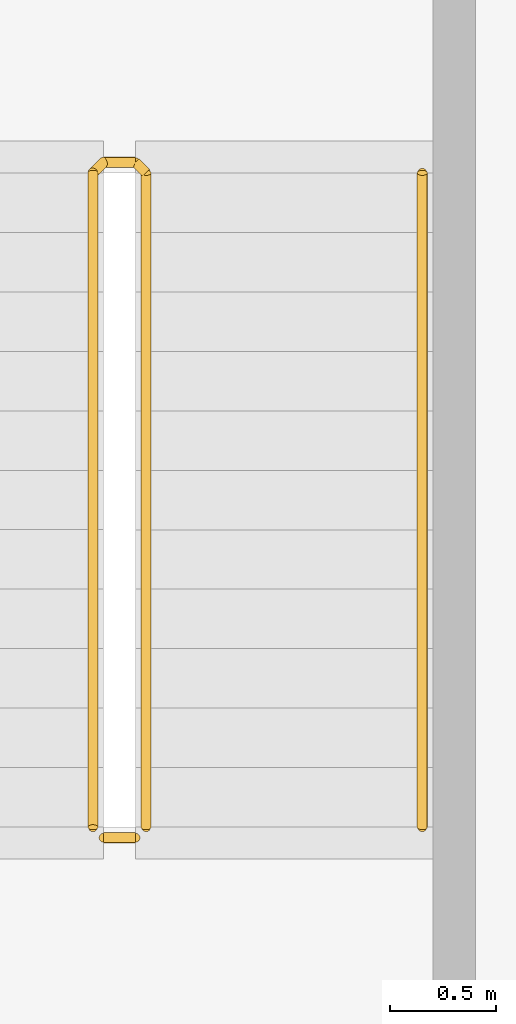
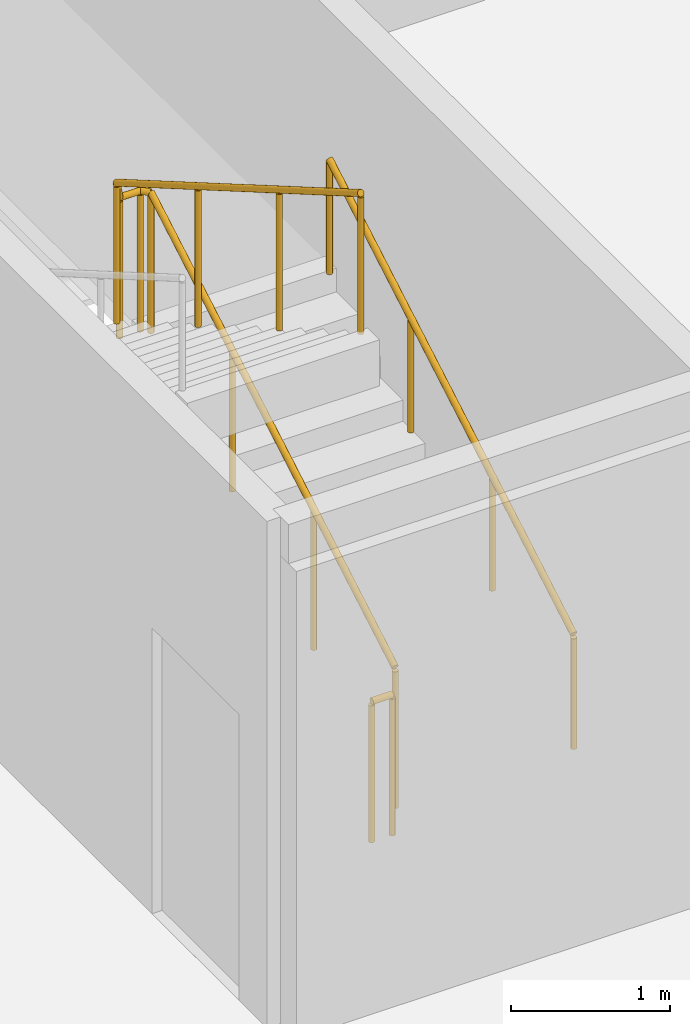
# One storey, part 27 of 28: 3 railings.
"""IFC4 building model written with IfcOpenShell, lengths in metres."""

from ifc_helpers import new_model, si_unit, direction, frame, origin, origin_2d, place, context, subcontext, project, spatial, circle, extrude, material, type_object, element, save


model = new_model("IFC4")

# Units and contexts
model_context = context("Model", 3, precision=1e-05, world=origin(), true_north=direction((0.0, 1.0)))
body_context = subcontext(model_context, "Body", "Model", "MODEL_VIEW")
ifc_project = project(units=[si_unit("LENGTHUNIT", "METRE"), si_unit("AREAUNIT", "SQUARE_METRE"), si_unit("VOLUMEUNIT", "CUBIC_METRE"), si_unit("PLANEANGLEUNIT", "RADIAN"), si_unit("MASSUNIT", "GRAM", prefix="KILO")], contexts=[model_context])

# Site, building, storey
site_placement = place(None, origin())
site = spatial("IfcSite", under=ifc_project, at=site_placement, CompositionType="ELEMENT")
building_placement = place(site_placement, origin())
building = spatial("IfcBuilding", under=site, at=building_placement, Name="Kheshtan School and Residences Tower", CompositionType="ELEMENT")
storey_placement = place(building_placement, frame((0.0, 0.0, 191.60009765625)))
storey = spatial("IfcBuildingStorey", under=building, at=storey_placement, Name="L45", CompositionType="ELEMENT", Elevation=191.60009765625)

# Railings
ifc_material_1 = material(Name="Stainless steel balustrade", Category="steel")
railing_type_1 = type_object("IfcRailingType", Name="Stair guard 1100", PredefinedType="GUARDRAIL", material=ifc_material_1)
railing_1_placement = place(storey_placement, frame((35.0, 80.89990234375, 0.162353515625)))
element("IfcRailing", 1, at=railing_1_placement, inside=storey, type_object=railing_type_1, Name="L45 ST3 stair guard 1", PredefinedType="GUARDRAIL", context=body_context, shape_type="SweptSolid", body=[
    extrude(circle(Radius=0.02392578125, at=origin_2d()), frame((0.0, 0.0, 1.076171875), z_axis=(0.0, 0.864890721111, 0.501960198159), x_axis=(-1.0, 0.0, 0.0)), (0.0, 0.0, 1.0), 3.561279296875),
    extrude(circle(Radius=0.02392578125, at=origin_2d()), frame((0.0, 3.080078125, 2.86376953125), z_axis=(-0.707106781187, 0.707106781187, 0.0), x_axis=(-0.707106781187, -0.707106781187, 0.0)), (0.0, 0.0, 1.0), 0.07080078125),
    extrude(circle(Radius=0.02392578125, at=origin_2d()), frame((-0.050048828125, 3.130126953125, 2.86376953125), z_axis=(-1.0, 0.0, 0.0), x_axis=(0.0, -1.0, 0.0)), (0.0, 0.0, 1.0), 0.14990234375),
    extrude(circle(Radius=0.02392578125, at=origin_2d()), frame((-0.199951171875, 3.130126953125, 2.86376953125), z_axis=(-0.282583949758, -0.282583949758, 0.916674763849), x_axis=(0.707106781187, -0.707106781187, 0.0)), (0.0, 0.0, 1.0), 0.177001953125),
    extrude(circle(Radius=0.02392578125, at=origin_2d()), frame((-0.25, 3.080078125, 3.02587890625), z_axis=(0.0, -0.864890721111, 0.501960198159), x_axis=(1.0, 0.0, 0.0)), (0.0, 0.0, 1.0), 3.561279296875),
    extrude(circle(Radius=0.02099609375, at=origin_2d()), origin(), (0.0, 0.0, 1.0), 1.052001953125),
    extrude(circle(Radius=0.02099609375, at=origin_2d()), frame((0.0, 1.026611328125, 0.595947265625)), (0.0, 0.0, 1.0), 1.052001953125),
    extrude(circle(Radius=0.02099609375, at=origin_2d()), frame((0.0, 2.053466796875, 1.191650390625)), (0.0, 0.0, 1.0), 1.052001953125),
    extrude(circle(Radius=0.02099609375, at=origin_2d()), frame((0.0, 3.080078125, 1.78759765625)), (0.0, 0.0, 1.0), 1.052001953125),
    extrude(circle(Radius=0.02099609375, at=origin_2d()), frame((-0.050048828125, 3.130126953125, 1.78759765625)), (0.0, 0.0, 1.0), 1.052001953125),
    extrude(circle(Radius=0.02099609375, at=origin_2d()), frame((-0.199951171875, 3.130126953125, 1.78759765625)), (0.0, 0.0, 1.0), 1.052001953125),
    extrude(circle(Radius=0.02099609375, at=origin_2d()), frame((-0.25, 3.080078125, 1.949951171875)), (0.0, 0.0, 1.0), 1.052001953125),
    extrude(circle(Radius=0.02099609375, at=origin_2d()), frame((-0.25, 2.053466796875, 2.5458984375)), (0.0, 0.0, 1.0), 1.052001953125),
    extrude(circle(Radius=0.02099609375, at=origin_2d()), frame((-0.25, 1.026611328125, 3.1416015625)), (0.0, 0.0, 1.0), 1.052001953125),
    extrude(circle(Radius=0.02099609375, at=origin_2d()), frame((-0.25, 0.0, 3.737548828125)), (0.0, 0.0, 1.0), 1.052001953125),
])
railing_2_placement = place(storey_placement, frame((34.949951171875, 80.85009765625, 0.0)))
element("IfcRailing", 2, at=railing_2_placement, inside=storey, type_object=railing_type_1, Name="L45 ST3 stair guard 2", PredefinedType="GUARDRAIL", context=body_context, shape_type="SweptSolid", body=[
    extrude(circle(Radius=0.02392578125, at=origin_2d()), frame((0.0, 0.0, 1.076171875), z_axis=(-1.0, 0.0, 0.0), x_axis=(0.0, -1.0, 0.0)), (0.0, 0.0, 1.0), 0.14990234375),
    extrude(circle(Radius=0.02099609375, at=origin_2d()), origin(), (0.0, 0.0, 1.0), 1.052001953125),
    extrude(circle(Radius=0.02099609375, at=origin_2d()), frame((-0.14990234375, 0.0, 0.0)), (0.0, 0.0, 1.0), 1.052001953125),
])
ifc_material_2 = material(Name="Stainless steel handrail", Category="steel")
railing_type_2 = type_object("IfcRailingType", Name="Stair handrail 900", PredefinedType="HANDRAIL", material=ifc_material_2)
railing_3_placement = place(storey_placement, frame((36.300048828125, 80.89990234375, 0.162353515625)))
element("IfcRailing", 3, at=railing_3_placement, inside=storey, type_object=railing_type_2, Name="L45 ST3 stair handrail 1", PredefinedType="HANDRAIL", context=body_context, shape_type="SweptSolid", body=[
    extrude(circle(Radius=0.02392578125, at=origin_2d()), frame((0.0, 0.0, 0.8759765625), z_axis=(0.0, 0.864890721111, 0.501960198159), x_axis=(-1.0, 0.0, 0.0)), (0.0, 0.0, 1.0), 3.561279296875),
    extrude(circle(Radius=0.02099609375, at=origin_2d()), origin(), (0.0, 0.0, 1.0), 0.851806640625),
    extrude(circle(Radius=0.02099609375, at=origin_2d()), frame((0.0, 1.026611328125, 0.595947265625)), (0.0, 0.0, 1.0), 0.851806640625),
    extrude(circle(Radius=0.02099609375, at=origin_2d()), frame((0.0, 2.053466796875, 1.191650390625)), (0.0, 0.0, 1.0), 0.851806640625),
    extrude(circle(Radius=0.02099609375, at=origin_2d()), frame((0.0, 3.080078125, 1.78759765625)), (0.0, 0.0, 1.0), 0.851806640625),
])

save(model, "model.ifc")
